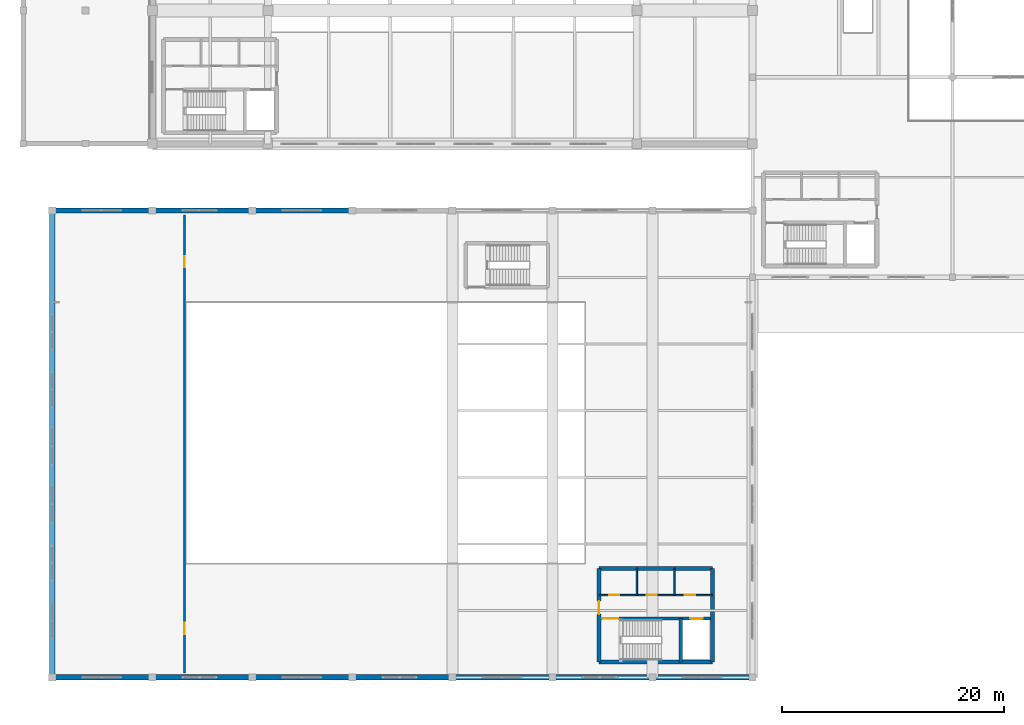
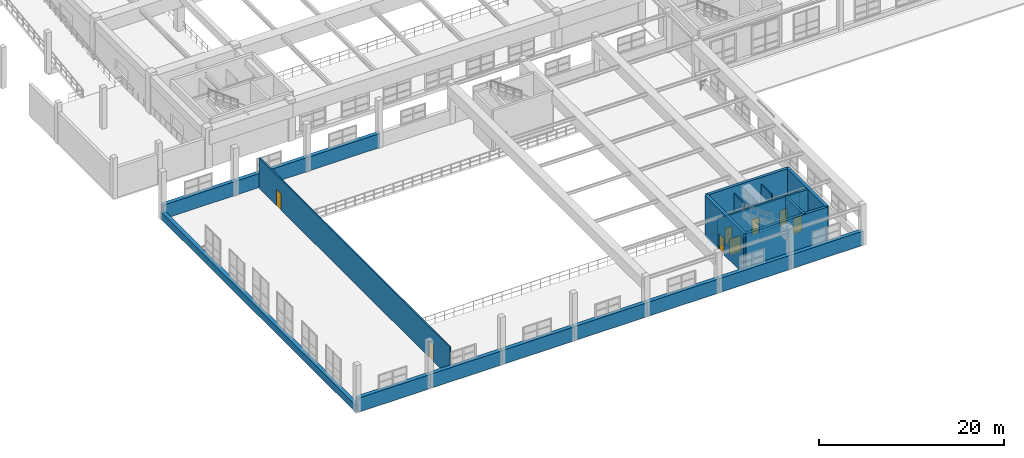
# One storey, part 169 of 197: 21 walls, 8 doors, 8 openings.
"""IFC4 building model written with IfcOpenShell, lengths in metres."""

from ifc_helpers import new_model, si_unit, derived_unit, direction, frame, frame_2d, origin, place, context, subcontext, project, spatial, rectangle, extrude, material, layer, layer_set, type_object, element, fill, save


model = new_model("IFC4")

# Units and contexts
model_context = context("Model", 3, precision=1e-05, world=origin(), true_north=direction((0.0, 1.0)))
body_context = subcontext(model_context, "Body", "Model", "MODEL_VIEW")
ifc_project = project(units=[si_unit("LENGTHUNIT", "METRE"), si_unit("AREAUNIT", "SQUARE_METRE"), si_unit("VOLUMEUNIT", "CUBIC_METRE"), si_unit("PLANEANGLEUNIT", "RADIAN"), si_unit("MASSUNIT", "GRAM", prefix="KILO"), derived_unit("THERMALTRANSMITTANCEUNIT", [(si_unit("POWERUNIT", "WATT"), 1), (si_unit("LENGTHUNIT", "METRE"), -2), (si_unit("THERMODYNAMICTEMPERATUREUNIT", "KELVIN"), -1)])], contexts=[model_context])

# Site, building, storey
site_placement = place(None, origin())
site = spatial("IfcSite", under=ifc_project, at=site_placement, CompositionType="ELEMENT")
building_placement = place(site_placement, origin())
building = spatial("IfcBuilding", under=site, at=building_placement, Name="Almenara Railside Exhibition Hall", CompositionType="ELEMENT")
storey_placement = place(building_placement, frame((0.0, 0.0, 5.39990234375)))
storey = spatial("IfcBuildingStorey", under=building, at=storey_placement, Name="L01", CompositionType="ELEMENT", Elevation=5.39990234375)

# Wall, openings, doors
ifc_material_1 = material(Name="Double-stud acoustic gypsum partition")
ifc_layer_1 = layer(ifc_material_1, 0.159912109375, Name="Double-stud acoustic gypsum partition")
ifc_layer_set_1 = layer_set([ifc_layer_1], Name="Double-stud acoustic gypsum partition")
wall_type_1 = type_object("IfcWallType", Name="Acoustic Congress Partition 160mm", PredefinedType="PARTITIONING", material=ifc_layer_set_1)
wall_1_placement = place(storey_placement, frame((14.89990234375, 0.39990234375, 0.0), z_axis=(0.0, 0.0, 1.0), x_axis=(0.0, 1.0, 0.0)))
wall_1 = element("IfcWall", 1, at=wall_1_placement, inside=storey, type_object=wall_type_1, Name="Interior wall 0397", PredefinedType="PARTITIONING", context=body_context, shape_type="SweptSolid", body=[
    extrude(rectangle(XDim=41.2001953125, YDim=0.159912109375, at=frame_2d((20.60009765625, 0.0))), origin(), (0.0, 0.0, 1.0), 4.050048828125),
])
opening_1_placement = place(wall_1_placement, frame((3.5, 0.0, 0.0)))
opening_1 = element("IfcOpeningElement", 2, at=opening_1_placement, cuts=wall_1, Name="Opening ID-10", PredefinedType="OPENING", context=body_context, shape_type="SweptSolid", body=[
    extrude(rectangle(XDim=1.0, YDim=2.14990234375, at=frame_2d((0.5, 1.074951171875))), frame((0.0, 0.08984375, 0.0), z_axis=(0.0, -1.0, 0.0), x_axis=(1.0, 0.0, 0.0)), (0.0, 0.0, 1.0), 0.179931640625),
])
opening_2_placement = place(wall_1_placement, frame((36.5, 0.0, 0.0)))
opening_2 = element("IfcOpeningElement", 3, at=opening_2_placement, cuts=wall_1, Name="Opening ID-10", PredefinedType="OPENING", context=body_context, shape_type="SweptSolid", body=[
    extrude(rectangle(XDim=1.0, YDim=2.14990234375, at=frame_2d((0.5, 1.074951171875))), frame((0.0, 0.08984375, 0.0), z_axis=(0.0, -1.0, 0.0), x_axis=(1.0, 0.0, 0.0)), (0.0, 0.0, 1.0), 0.179931640625),
])
ifc_material_2 = material(Name="Iroko hardwood single door", Category="wood")
door_type_1 = type_object("IfcDoorType", Name="Standard Room Single Door 1000x2150", OperationType="NOTDEFINED", PredefinedType="DOOR", material=ifc_material_2)
door_1_placement = place(opening_1_placement, origin())
door_1 = element("IfcDoor", 4, at=door_1_placement, inside=storey, type_object=door_type_1, Name="Interior door ID-10-284", OperationType="SINGLE_SWING_LEFT", OverallHeight=2.14990234375, OverallWidth=1.0, PredefinedType="DOOR", context=body_context, shape_type="SweptSolid", body=[
    extrude(rectangle(XDim=1.0, YDim=2.14990234375, at=frame_2d((0.5, 1.074951171875))), frame((0.0, 0.02490234375, 0.0), z_axis=(0.0, -1.0, 0.0), x_axis=(1.0, 0.0, 0.0)), (0.0, 0.0, 1.0), 0.050048828125),
])
fill(opening_1, door_1)
door_2_placement = place(opening_2_placement, origin())
door_2 = element("IfcDoor", 5, at=door_2_placement, inside=storey, type_object=door_type_1, Name="Interior door ID-10-285", OperationType="SINGLE_SWING_RIGHT", OverallHeight=2.14990234375, OverallWidth=1.0, PredefinedType="DOOR", context=body_context, shape_type="SweptSolid", body=[
    extrude(rectangle(XDim=1.0, YDim=2.14990234375, at=frame_2d((0.5, 1.074951171875))), frame((0.0, 0.02490234375, 0.0), z_axis=(0.0, -1.0, 0.0), x_axis=(1.0, 0.0, 0.0)), (0.0, 0.0, 1.0), 0.050048828125),
])
fill(opening_2, door_2)

# Walls
ifc_material_3 = material(Name="Concrete C35/45", Category="concrete")
ifc_layer_2 = layer(ifc_material_3, 0.35009765625, Name="Concrete C35/45")
ifc_layer_set_2 = layer_set([ifc_layer_2], Name="Concrete C35/45")
wall_type_2 = type_object("IfcWallType", Name="Core Coupled Shear Wall 350mm C35/45", PredefinedType="SHEAR", material=ifc_layer_set_2)
for number, where, z_axis, x_axis, name in (
    (6, (52.199951171875, 1.39990234375, 0.0), (0.0, 0.0, 1.0), (1.0, 0.0, 0.0), "Interior wall 0199"),
    (7, (62.39990234375, 9.800048828125, 0.0), (0.0, 0.0, 1.0), (-1.0, 0.0, 0.0), "Interior wall 0200"),
):
    element("IfcWall", number, at=place(storey_placement, frame(where, z_axis=z_axis, x_axis=x_axis)), inside=storey, type_object=wall_type_2, Name=name, PredefinedType="SHEAR", context=body_context, shape_type="SweptSolid", body=[
        extrude(rectangle(XDim=10.199951171875, YDim=0.35009765625, at=frame_2d((5.10009765625, 0.0))), origin(), (0.0, 0.0, 1.0), 5.400146484375),
    ])

# Wall, opening, door
wall_2_placement = place(storey_placement, frame((52.199951171875, 9.800048828125, 0.0), z_axis=(0.0, 0.0, 1.0), x_axis=(0.0, -1.0, 0.0)))
wall_2 = element("IfcWall", 8, at=wall_2_placement, inside=storey, type_object=wall_type_2, Name="Interior wall 0201", PredefinedType="SHEAR", context=body_context, shape_type="SweptSolid", body=[
    extrude(rectangle(XDim=8.400146484375, YDim=0.35009765625, at=frame_2d((4.2001953125, 0.0))), origin(), (0.0, 0.0, 1.0), 5.400146484375),
])
opening_3_placement = place(wall_2_placement, frame((2.949951171875, 0.0, 0.0)))
opening_3 = element("IfcOpeningElement", 9, at=opening_3_placement, cuts=wall_2, Name="Opening FD-115", PredefinedType="OPENING", context=body_context, shape_type="SweptSolid", body=[
    extrude(rectangle(XDim=1.14990234375, YDim=2.14990234375, at=frame_2d((0.574951171875, 1.074951171875))), frame((0.0, 0.18505859375, 0.0), z_axis=(0.0, -1.0, 0.0), x_axis=(1.0, 0.0, 0.0)), (0.0, 0.0, 1.0), 0.3701171875),
])
ifc_material_4 = material(Name="Fire-rated iroko timber door", Category="wood")
door_type_2 = type_object("IfcDoorType", Name="Core Lobby Fire Door 1150x2150 EI60", OperationType="NOTDEFINED", PredefinedType="DOOR", material=ifc_material_4)
door_3_placement = place(opening_3_placement, origin())
door_3 = element("IfcDoor", 10, at=door_3_placement, inside=storey, type_object=door_type_2, Name="Interior door FD-115-133", OperationType="SINGLE_SWING_LEFT", OverallHeight=2.14990234375, OverallWidth=1.14990234375, PredefinedType="DOOR", context=body_context, shape_type="SweptSolid", body=[
    extrude(rectangle(XDim=1.14990234375, YDim=2.14990234375, at=frame_2d((0.574951171875, 1.074951171875))), frame((0.0, 0.02490234375, 0.0), z_axis=(0.0, -1.0, 0.0), x_axis=(1.0, 0.0, 0.0)), (0.0, 0.0, 1.0), 0.050048828125),
])
fill(opening_3, door_3)

# Walls
wall_3_placement = place(storey_placement, frame((62.39990234375, 1.39990234375, 0.0), z_axis=(0.0, 0.0, 1.0), x_axis=(0.0, 1.0, 0.0)))
element("IfcWall", 11, at=wall_3_placement, inside=storey, type_object=wall_type_2, Name="Interior wall 0202", PredefinedType="SHEAR", context=body_context, shape_type="SweptSolid", body=[
    extrude(rectangle(XDim=8.400146484375, YDim=0.35009765625, at=frame_2d((4.2001953125, 0.0))), origin(), (0.0, 0.0, 1.0), 5.400146484375),
])
ifc_material_5 = material(Name="Ochre-white lime-rendered masonry over Concrete C35/45", Category="masonry")
ifc_layer_3 = layer(ifc_material_5, 0.47998046875, Name="Ochre-white lime-rendered masonry over Concrete C35/45")
ifc_layer_set_3 = layer_set([ifc_layer_3], Name="Ochre-white lime-rendered masonry over Concrete C35/45")
wall_type_3 = type_object("IfcWallType", Name="Exterior Plenary Thermal Wall 480mm C35/45", PredefinedType="SOLIDWALL", material=ifc_layer_set_3)
for number, where, z_axis, x_axis, name in (
    (12, (3.0, 0.0, 0.0), (0.0, 0.0, 1.0), (1.0, 0.0, 0.0), "Exterior wall 0109"),
    (13, (12.0, 42.0, 0.0), (0.0, 0.0, 1.0), (-1.0, 0.0, 0.0), "Exterior wall 0111"),
    (14, (12.0, 0.0, 0.0), (0.0, 0.0, 1.0), (1.0, 0.0, 0.0), "Exterior wall 0113"),
    (15, (21.0, 42.0, 0.0), (0.0, 0.0, 1.0), (-1.0, 0.0, 0.0), "Exterior wall 0115"),
    (16, (21.0, 0.0, 0.0), (0.0, 0.0, 1.0), (1.0, 0.0, 0.0), "Exterior wall 0117"),
    (17, (30.0, 42.0, 0.0), (0.0, 0.0, 1.0), (-1.0, 0.0, 0.0), "Exterior wall 0119"),
    (18, (30.0, 0.0, 0.0), (0.0, 0.0, 1.0), (1.0, 0.0, 0.0), "Exterior wall 0121"),
    (19, (39.0, 0.0, 0.0), (0.0, 0.0, 1.0), (1.0, 0.0, 0.0), "Exterior wall 0125"),
    (20, (48.0, 0.0, 0.0), (0.0, 0.0, 1.0), (1.0, 0.0, 0.0), "Exterior wall 0129"),
    (21, (57.0, 0.0, 0.0), (0.0, 0.0, 1.0), (1.0, 0.0, 0.0), "Exterior wall 0133"),
):
    element("IfcWall", number, at=place(storey_placement, frame(where, z_axis=z_axis, x_axis=x_axis)), inside=storey, type_object=wall_type_3, Name=name, PredefinedType="SOLIDWALL", context=body_context, shape_type="SweptSolid", body=[
        extrude(rectangle(XDim=9.0, YDim=0.47998046875, at=frame_2d((4.5, 0.0))), origin(), (0.0, 0.0, 1.0), 1.85009765625),
    ])
wall_4_placement = place(storey_placement, frame((3.0, 42.0, 0.0), z_axis=(0.0, 0.0, 1.0), x_axis=(0.0, -1.0, 0.0)))
element("IfcWall", 22, at=wall_4_placement, inside=storey, type_object=wall_type_3, Name="Exterior wall 0137", PredefinedType="SOLIDWALL", context=body_context, shape_type="SweptSolid", body=[
    extrude(rectangle(XDim=42.0, YDim=0.47998046875, at=frame_2d((21.0, 0.0))), origin(), (0.0, 0.0, 1.0), 0.9501953125),
])

# Wall, openings, doors
ifc_material_6 = material(Name="Moisture-resistant tiled masonry partition", Category="masonry")
ifc_layer_4 = layer(ifc_material_6, 0.139892578125, Name="Moisture-resistant tiled masonry partition")
ifc_layer_set_4 = layer_set([ifc_layer_4], Name="Moisture-resistant tiled masonry partition")
wall_type_4 = type_object("IfcWallType", Name="Sanitary Wet-Wall Partition 140mm", PredefinedType="PARTITIONING", material=ifc_layer_set_4)
wall_5_placement = place(storey_placement, frame((52.199951171875, 7.39990234375, 0.0), z_axis=(0.0, 0.0, 1.0), x_axis=(1.0, 0.0, 0.0)))
wall_5 = element("IfcWall", 23, at=wall_5_placement, inside=storey, type_object=wall_type_4, Name="Interior wall 0205", PredefinedType="PARTITIONING", context=body_context, shape_type="SweptSolid", body=[
    extrude(rectangle(XDim=10.199951171875, YDim=0.139892578125, at=frame_2d((5.10009765625, 0.0))), origin(), (0.0, 0.0, 1.0), 3.72509765625),
])
opening_4_placement = place(wall_5_placement, frame((0.89990234375, 0.0, 0.0)))
opening_4 = element("IfcOpeningElement", 24, at=opening_4_placement, cuts=wall_5, Name="Opening ID-09", PredefinedType="OPENING", context=body_context, shape_type="SweptSolid", body=[
    extrude(rectangle(XDim=0.89990234375, YDim=2.10009765625, at=frame_2d((0.449951171875, 1.050048828125))), frame((0.0, 0.079833984375, 0.0), z_axis=(0.0, -1.0, 0.0), x_axis=(1.0, 0.0, 0.0)), (0.0, 0.0, 1.0), 0.159912109375),
])
opening_5_placement = place(wall_5_placement, frame((4.300048828125, 0.0, 0.0)))
opening_5 = element("IfcOpeningElement", 25, at=opening_5_placement, cuts=wall_5, Name="Opening ID-09", PredefinedType="OPENING", context=body_context, shape_type="SweptSolid", body=[
    extrude(rectangle(XDim=0.89990234375, YDim=2.10009765625, at=frame_2d((0.449951171875, 1.050048828125))), frame((0.0, 0.079833984375, 0.0), z_axis=(0.0, -1.0, 0.0), x_axis=(1.0, 0.0, 0.0)), (0.0, 0.0, 1.0), 0.159912109375),
])
opening_6_placement = place(wall_5_placement, frame((7.699951171875, 0.0, 0.0)))
opening_6 = element("IfcOpeningElement", 26, at=opening_6_placement, cuts=wall_5, Name="Opening ID-095", PredefinedType="OPENING", context=body_context, shape_type="SweptSolid", body=[
    extrude(rectangle(XDim=0.949951171875, YDim=2.10009765625, at=frame_2d((0.47509765625, 1.050048828125))), frame((0.0, 0.079833984375, 0.0), z_axis=(0.0, -1.0, 0.0), x_axis=(1.0, 0.0, 0.0)), (0.0, 0.0, 1.0), 0.159912109375),
])
ifc_material_7 = material(Name="Moisture-resistant hardwood door", Category="wood")
door_type_3 = type_object("IfcDoorType", Name="Accessible Toilet Door 950x2100", OperationType="NOTDEFINED", PredefinedType="DOOR", material=ifc_material_7)
door_4_placement = place(opening_6_placement, origin())
door_4 = element("IfcDoor", 27, at=door_4_placement, inside=storey, type_object=door_type_3, Name="Interior door ID-095-138", OperationType="SINGLE_SWING_RIGHT", OverallHeight=2.10009765625, OverallWidth=0.949951171875, PredefinedType="DOOR", context=body_context, shape_type="SweptSolid", body=[
    extrude(rectangle(XDim=0.949951171875, YDim=2.10009765625, at=frame_2d((0.47509765625, 1.050048828125))), frame((0.0, 0.02490234375, 0.0), z_axis=(0.0, -1.0, 0.0), x_axis=(1.0, 0.0, 0.0)), (0.0, 0.0, 1.0), 0.050048828125),
])
fill(opening_6, door_4)
door_type_4 = type_object("IfcDoorType", Name="Sanitary Lobby Single Door 900x2100", OperationType="NOTDEFINED", PredefinedType="DOOR", material=ifc_material_7)
door_5_placement = place(opening_4_placement, origin())
door_5 = element("IfcDoor", 28, at=door_5_placement, inside=storey, type_object=door_type_4, Name="Interior door ID-09-136", OperationType="SINGLE_SWING_RIGHT", OverallHeight=2.10009765625, OverallWidth=0.89990234375, PredefinedType="DOOR", context=body_context, shape_type="SweptSolid", body=[
    extrude(rectangle(XDim=0.89990234375, YDim=2.10009765625, at=frame_2d((0.449951171875, 1.050048828125))), frame((0.0, 0.02490234375, 0.0), z_axis=(0.0, -1.0, 0.0), x_axis=(1.0, 0.0, 0.0)), (0.0, 0.0, 1.0), 0.050048828125),
])
fill(opening_4, door_5)
door_6_placement = place(opening_5_placement, origin())
door_6 = element("IfcDoor", 29, at=door_6_placement, inside=storey, type_object=door_type_4, Name="Interior door ID-09-137", OperationType="SINGLE_SWING_LEFT", OverallHeight=2.10009765625, OverallWidth=0.89990234375, PredefinedType="DOOR", context=body_context, shape_type="SweptSolid", body=[
    extrude(rectangle(XDim=0.89990234375, YDim=2.10009765625, at=frame_2d((0.449951171875, 1.050048828125))), frame((0.0, 0.02490234375, 0.0), z_axis=(0.0, -1.0, 0.0), x_axis=(1.0, 0.0, 0.0)), (0.0, 0.0, 1.0), 0.050048828125),
])
fill(opening_5, door_6)

# Walls
for number, where, z_axis, x_axis, name in (
    (30, (55.60009765625, 7.39990234375, 0.0), (0.0, 0.0, 1.0), (0.0, 1.0, 0.0), "Interior wall 0206"),
    (31, (59.0, 7.39990234375, 0.0), (0.0, 0.0, 1.0), (0.0, 1.0, 0.0), "Interior wall 0207"),
):
    element("IfcWall", number, at=place(storey_placement, frame(where, z_axis=z_axis, x_axis=x_axis)), inside=storey, type_object=wall_type_4, Name=name, PredefinedType="PARTITIONING", context=body_context, shape_type="SweptSolid", body=[
        extrude(rectangle(XDim=2.400146484375, YDim=0.139892578125, at=frame_2d((1.2001953125, 0.0))), origin(), (0.0, 0.0, 1.0), 4.5),
    ])

# Wall, openings, doors
ifc_layer_5 = layer(ifc_material_3, 0.300048828125, Name="Concrete C35/45")
ifc_layer_set_5 = layer_set([ifc_layer_5], Name="Concrete C35/45")
wall_type_5 = type_object("IfcWallType", Name="Stair and Lift Shaft Wall 300mm C35/45", PredefinedType="SHEAR", material=ifc_layer_set_5)
wall_6_placement = place(storey_placement, frame((52.199951171875, 5.300048828125, 0.0), z_axis=(0.0, 0.0, 1.0), x_axis=(1.0, 0.0, 0.0)))
wall_6 = element("IfcWall", 32, at=wall_6_placement, inside=storey, type_object=wall_type_5, Name="Interior wall 0203", PredefinedType="SHEAR", context=body_context, shape_type="SweptSolid", body=[
    extrude(rectangle(XDim=10.199951171875, YDim=0.300048828125, at=frame_2d((5.10009765625, 0.0))), origin(), (0.0, 0.0, 1.0), 5.400146484375),
])
opening_7_placement = place(wall_6_placement, frame((0.280029296875, 0.0, 0.0)))
opening_7 = element("IfcOpeningElement", 33, at=opening_7_placement, cuts=wall_6, Name="Opening FD-145", PredefinedType="OPENING", context=body_context, shape_type="SweptSolid", body=[
    extrude(rectangle(XDim=1.449951171875, YDim=2.14990234375, at=frame_2d((0.72509765625, 1.074951171875))), frame((0.0, 0.159912109375, 0.0), z_axis=(0.0, -1.0, 0.0), x_axis=(1.0, 0.0, 0.0)), (0.0, 0.0, 1.0), 0.320068359375),
])
opening_8_placement = place(wall_6_placement, frame((8.22509765625, 0.0, 0.0)))
opening_8 = element("IfcOpeningElement", 34, at=opening_8_placement, cuts=wall_6, Name="Opening LD-11-C7", PredefinedType="OPENING", context=body_context, shape_type="SweptSolid", body=[
    extrude(rectangle(XDim=1.10009765625, YDim=2.14990234375, at=frame_2d((0.550048828125, 1.074951171875))), frame((0.0, 0.159912109375, 0.0), z_axis=(0.0, -1.0, 0.0), x_axis=(1.0, 0.0, 0.0)), (0.0, 0.0, 1.0), 0.320068359375),
])
ifc_material_8 = material(Name="Steel-framed fire-rated timber door", Category="steel")
door_type_5 = type_object("IfcDoorType", Name="Fire Escape Stair Door 1450x2150 EI60", OperationType="NOTDEFINED", PredefinedType="DOOR", material=ifc_material_8)
door_7_placement = place(opening_7_placement, origin())
door_7 = element("IfcDoor", 35, at=door_7_placement, inside=storey, type_object=door_type_5, Name="Interior door FD-145-134", OperationType="DOUBLE_DOOR_SINGLE_SWING", OverallHeight=2.14990234375, OverallWidth=1.449951171875, PredefinedType="DOOR", context=body_context, shape_type="SweptSolid", body=[
    extrude(rectangle(XDim=1.449951171875, YDim=2.14990234375, at=frame_2d((0.72509765625, 1.074951171875))), frame((0.0, 0.02490234375, 0.0), z_axis=(0.0, -1.0, 0.0), x_axis=(1.0, 0.0, 0.0)), (0.0, 0.0, 1.0), 0.050048828125),
])
fill(opening_7, door_7)
ifc_material_9 = material(Name="Brushed bronze-stainless steel sliding landing door", Category="steel")
door_type_6 = type_object("IfcDoorType", Name="Passenger Lift Sliding Landing Door 1100x2150", OperationType="DOUBLE_DOOR_SLIDING", PredefinedType="DOOR", material=ifc_material_9)
door_8_placement = place(opening_8_placement, origin())
door_8 = element("IfcDoor", 36, at=door_8_placement, inside=storey, type_object=door_type_6, Name="Interior door LD-11-C7-135", OperationType="DOUBLE_DOOR_SLIDING", OverallHeight=2.14990234375, OverallWidth=1.10009765625, PredefinedType="DOOR", context=body_context, shape_type="SweptSolid", body=[
    extrude(rectangle(XDim=1.10009765625, YDim=2.14990234375, at=frame_2d((0.550048828125, 1.074951171875))), frame((0.0, 0.02490234375, 0.0), z_axis=(0.0, -1.0, 0.0), x_axis=(1.0, 0.0, 0.0)), (0.0, 0.0, 1.0), 0.050048828125),
])
fill(opening_8, door_8)

# Wall
wall_7_placement = place(storey_placement, frame((59.550048828125, 1.39990234375, 0.0), z_axis=(0.0, 0.0, 1.0), x_axis=(0.0, 1.0, 0.0)))
element("IfcWall", 37, at=wall_7_placement, inside=storey, type_object=wall_type_5, Name="Interior wall 0204", PredefinedType="SHEAR", context=body_context, shape_type="SweptSolid", body=[
    extrude(rectangle(XDim=3.900146484375, YDim=0.300048828125, at=frame_2d((1.9501953125, 0.0))), origin(), (0.0, 0.0, 1.0), 5.400146484375),
])

save(model, "model.ifc")
